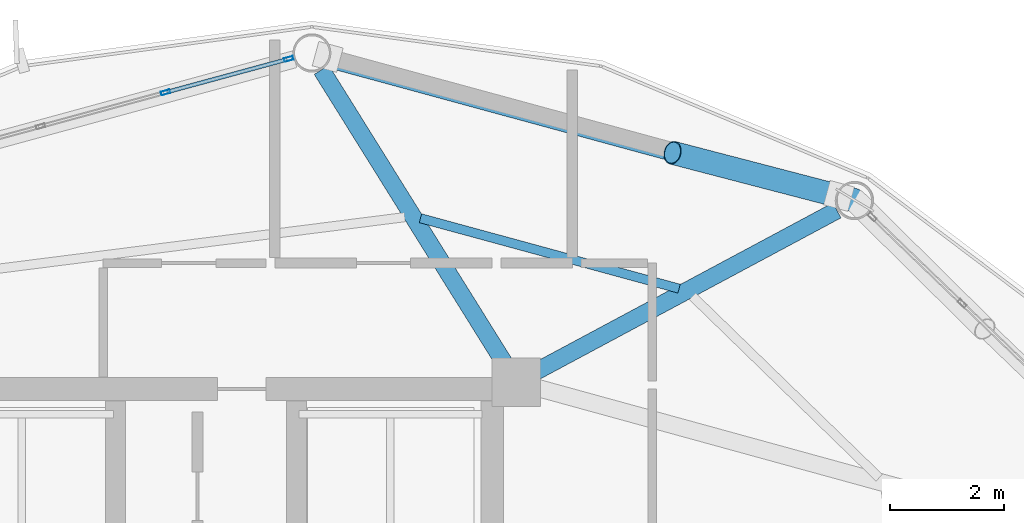
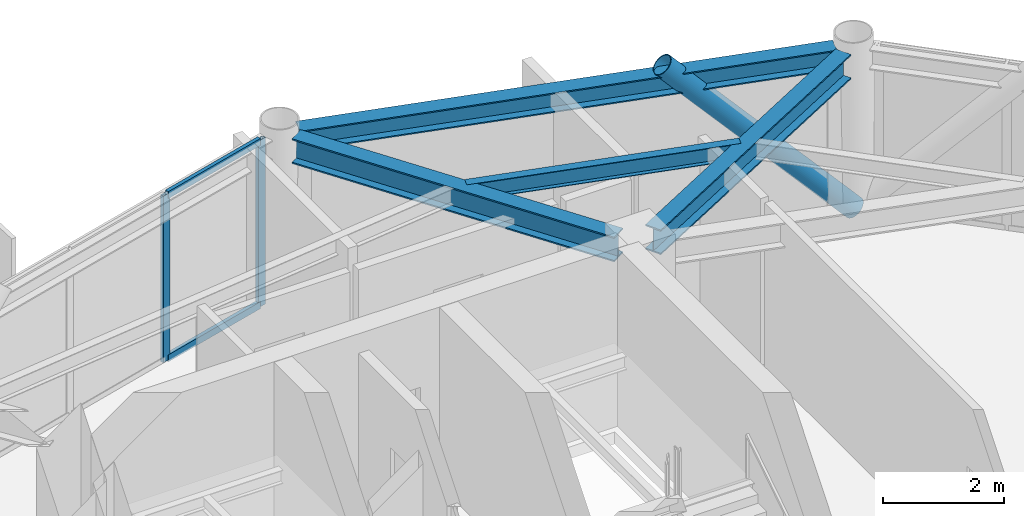
# One storey, part 20 of 28: 5 members, 4 beams, 1 element without a shape of its own.
"""IFC4 building model written with IfcOpenShell, lengths in metres."""

from ifc_helpers import new_model, si_unit, direction, frame, origin, origin_2d, place, context, subcontext, project, spatial, hollow_rectangle, hollow_circle, i_section, extrude, material, layer, layer_set, material_profile, profile_set, type_object, element, aggregate, save


model = new_model("IFC4")

# Units and contexts
model_context = context("Model", 3, precision=1e-05, world=origin(), true_north=direction((0.0, 1.0)))
body_context = subcontext(model_context, "Body", "Model", "MODEL_VIEW")
ifc_project = project(units=[si_unit("LENGTHUNIT", "METRE"), si_unit("AREAUNIT", "SQUARE_METRE"), si_unit("VOLUMEUNIT", "CUBIC_METRE"), si_unit("PLANEANGLEUNIT", "RADIAN"), si_unit("MASSUNIT", "GRAM", prefix="KILO")], contexts=[model_context])

# Site, building, storey
site_placement = place(None, origin())
site = spatial("IfcSite", under=ifc_project, at=site_placement, CompositionType="ELEMENT")
building_placement = place(site_placement, origin())
building = spatial("IfcBuilding", under=site, at=building_placement, Name="Varnakorn Sky Granary", CompositionType="ELEMENT")
storey_placement = place(building_placement, frame((0.0, 0.0, 214.800048828125)))
storey = spatial("IfcBuildingStorey", under=building, at=storey_placement, Name="L54", CompositionType="ELEMENT", Elevation=214.800048828125)

# Beams
ifc_material_1 = material(Name="Steel S355JR", Category="steel")
ifc_material_profile_1 = material_profile(ifc_material_1, i_section(OverallWidth=0.300048828125, OverallDepth=0.5, WebThickness=0.014404296875, FlangeThickness=0.028076171875, at=origin_2d()), Name="HE 500 B")
ifc_profile_set_1 = profile_set([ifc_material_profile_1], Name="Steel S355JR")
beam_type_1 = type_object("IfcBeamType", Name="BM-RAD-Z4", PredefinedType="BEAM", material=ifc_profile_set_1)
beam_1_placement = place(storey_placement, frame((8.777099609375, 12.811279296875, 3.10986328125), z_axis=(0.881538511868, 0.472112118139, 0.0), x_axis=(-0.472112118139, 0.881538511868, 0.0)))
element("IfcBeam", 1, at=beam_1_placement, inside=storey, type_object=beam_type_1, Name="Radial Floor Girder RG03 L54", PredefinedType="BEAM", context=body_context, shape_type="SweptSolid", body=[
    extrude(i_section(OverallWidth=0.300048828125, OverallDepth=0.5, WebThickness=0.014404296875, FlangeThickness=0.028076171875, at=origin_2d()), origin(), (0.0, 0.0, 1.0), 5.951171875),
])
beam_2_placement = place(storey_placement, frame((8.205810546875, 12.963623046875, 3.10986328125), z_axis=(-0.529230327947, 0.848478202419, 0.0), x_axis=(-0.848478202419, -0.529230327947, 0.0)))
element("IfcBeam", 2, at=beam_2_placement, inside=storey, type_object=beam_type_1, Name="Radial Floor Girder RG04 L54", PredefinedType="BEAM", context=body_context, shape_type="SweptSolid", body=[
    extrude(i_section(OverallWidth=0.300048828125, OverallDepth=0.5, WebThickness=0.014404296875, FlangeThickness=0.028076171875, at=origin_2d()), origin(), (0.0, 0.0, 1.0), 6.026123046875),
])
ifc_material_profile_2 = material_profile(ifc_material_1, i_section(OverallWidth=0.159912109375, OverallDepth=0.330078125, WebThickness=0.007568359375, FlangeThickness=0.011474609375, at=origin_2d()), Name="IPE 330")
ifc_profile_set_2 = profile_set([ifc_material_profile_2], Name="Steel S355JR")
beam_type_2 = type_object("IfcBeamType", Name="BM-SEC-Z4", PredefinedType="BEAM", material=ifc_profile_set_2)
beam_3_placement = place(storey_placement, frame((11.26513671875, 14.252685546875, 3.195068359375), z_axis=(-0.964855189198, 0.262782160503, 0.0), x_axis=(-0.262782160503, -0.964855189198, 0.0)))
element("IfcBeam", 3, at=beam_3_placement, inside=storey, type_object=beam_type_2, Name="Secondary Floor Chord Beam MSB03 L54", PredefinedType="BEAM", context=body_context, shape_type="SweptSolid", body=[
    extrude(i_section(OverallWidth=0.159912109375, OverallDepth=0.330078125, WebThickness=0.007568359375, FlangeThickness=0.011474609375, at=origin_2d()), origin(), (0.0, 0.0, 1.0), 4.683349609375),
])
ifc_material_profile_3 = material_profile(ifc_material_1, i_section(OverallWidth=0.300048828125, OverallDepth=0.39990234375, WebThickness=0.013427734375, FlangeThickness=0.02392578125, at=origin_2d()), Name="HE 400 B")
ifc_profile_set_3 = profile_set([ifc_material_profile_3], Name="Steel S355JR")
beam_type_3 = type_object("IfcBeamType", Name="BM-SPD-Z4", PredefinedType="SPANDREL", material=ifc_profile_set_3)
beam_4_placement = place(storey_placement, frame((13.9970703125, 15.852294921875, 3.159912109375), z_axis=(-0.964843073533, 0.262826641449, 0.0), x_axis=(-0.262826641449, -0.964843073533, 0.0)))
element("IfcBeam", 4, at=beam_4_placement, inside=storey, type_object=beam_type_3, Name="Perimeter Spandrel Ring Beam RB03 L54", PredefinedType="SPANDREL", context=body_context, shape_type="SweptSolid", body=[
    extrude(i_section(OverallWidth=0.300048828125, OverallDepth=0.39990234375, WebThickness=0.013427734375, FlangeThickness=0.02392578125, at=origin_2d()), origin(), (0.0, 0.0, 1.0), 9.16552734375),
])

# Curtain wall, members
ifc_material_2 = material(Name="Anodised Bronze Aluminium Alloy 6063-T6", Category="aluminium")
ifc_layer = layer(ifc_material_2, 0.169921875, Name="Anodised Bronze Aluminium Alloy 6063-T6")
ifc_layer_set = layer_set([ifc_layer], Name="Anodised Bronze Aluminium Alloy 6063-T6")
curtain_wall_type = type_object("IfcCurtainWallType", Name="CW-LAB-1", PredefinedType="USERDEFINED", material=ifc_layer_set)
curtain_wall_placement = place(storey_placement, origin())
curtain_wall = element("IfcCurtainWall", 5, at=curtain_wall_placement, inside=storey, type_object=curtain_wall_type, Name="Unitised Curtain Wall CW5 CW-L54-B04", ObjectType="CURTAIN WALL", PredefinedType="USERDEFINED")
ifc_material_profile_4 = material_profile(ifc_material_2, hollow_rectangle(XDim=0.06494140625, YDim=0.159912109375, WallThickness=0.00341796875, at=origin_2d()), Name="ALU MULL 65x160")
ifc_profile_set_4 = profile_set([ifc_material_profile_4], Name="Anodised Bronze Aluminium Alloy 6063-T6")
member_type_1 = type_object("IfcMemberType", Name="CW-LAB-1-MULL", PredefinedType="MULLION", material=ifc_profile_set_4)
member_1_placement = place(storey_placement, frame((2.29052734375, 17.68115234375, 0.0), z_axis=(0.0, 0.0, 1.0), x_axis=(-0.262380522882, 0.964964487021, 0.0)))
member_1 = element("IfcMember", 6, at=member_1_placement, type_object=member_type_1, Name="CW5 mullion 4", PredefinedType="MULLION", context=body_context, shape_type="SweptSolid", body=[
    extrude(hollow_rectangle(XDim=0.06494140625, YDim=0.159912109375, WallThickness=0.00341796875, at=origin_2d()), origin(), (0.0, 0.0, 1.0), 3.35986328125),
])
member_2_placement = place(storey_placement, frame((4.4423828125, 18.26611328125, 0.0), z_axis=(0.0, 0.0, 1.0), x_axis=(-0.262380522882, 0.964964487021, 0.0)))
member_2 = element("IfcMember", 7, at=member_2_placement, type_object=member_type_1, Name="CW5 mullion 5", PredefinedType="MULLION", context=body_context, shape_type="SweptSolid", body=[
    extrude(hollow_rectangle(XDim=0.06494140625, YDim=0.159912109375, WallThickness=0.00341796875, at=origin_2d()), origin(), (0.0, 0.0, 1.0), 3.35986328125),
])
ifc_material_profile_5 = material_profile(ifc_material_2, hollow_rectangle(XDim=0.070068359375, YDim=0.139892578125, WallThickness=0.00341796875, at=origin_2d()), Name="ALU TRAN 70x140")
ifc_profile_set_5 = profile_set([ifc_material_profile_5], Name="Anodised Bronze Aluminium Alloy 6063-T6")
member_type_2 = type_object("IfcMemberType", Name="CW-LAB-1-TRAN", PredefinedType="USERDEFINED", material=ifc_profile_set_5)
member_3_placement = place(storey_placement, frame((2.322021484375, 17.689697265625, 0.034912109375), z_axis=(0.964976925238, 0.262334774206, 0.0), x_axis=(-0.262334774206, 0.964976925238, 0.0)))
member_3 = element("IfcMember", 8, at=member_3_placement, type_object=member_type_2, Name="CW5 transom 4.1", ObjectType="TRANSOM", PredefinedType="USERDEFINED", context=body_context, shape_type="SweptSolid", body=[
    extrude(hollow_rectangle(XDim=0.070068359375, YDim=0.139892578125, WallThickness=0.00341796875, at=origin_2d()), origin(), (0.0, 0.0, 1.0), 2.164794921875),
])
member_4_placement = place(storey_placement, frame((2.322021484375, 17.689697265625, 3.324951171875), z_axis=(0.964976925238, 0.262334774206, 0.0), x_axis=(-0.262334774206, 0.964976925238, 0.0)))
member_4 = element("IfcMember", 9, at=member_4_placement, type_object=member_type_2, Name="CW5 transom 4.2", ObjectType="TRANSOM", PredefinedType="USERDEFINED", context=body_context, shape_type="SweptSolid", body=[
    extrude(hollow_rectangle(XDim=0.070068359375, YDim=0.139892578125, WallThickness=0.00341796875, at=origin_2d()), origin(), (0.0, 0.0, 1.0), 2.164794921875),
])
aggregate(curtain_wall, [member_1, member_2, member_3, member_4])

# Member
ifc_material_3 = material(Name="Steel S460M", Category="steel")
ifc_material_profile_6 = material_profile(ifc_material_3, hollow_circle(Radius=0.203125, WallThickness=0.01611328125, at=origin_2d()), Name="CHS 406.4x16")
ifc_profile_set_6 = profile_set([ifc_material_profile_6], Name="Steel S460M")
member_type_3 = type_object("IfcMemberType", Name="MB-DIAG-T4", PredefinedType="BRACE", material=ifc_profile_set_6)
member_5_placement = place(storey_placement, frame((14.3349609375, 15.798095703125, 0.0), z_axis=(-0.663859802554, 0.172950671554, 0.727583828683), x_axis=(-0.252107778306, -0.967699161991, 0.0)))
element("IfcMember", 10, at=member_5_placement, inside=storey, type_object=member_type_3, Name="Perimeter CHS Diagrid Brace DG03 L54", PredefinedType="BRACE", context=body_context, shape_type="SweptSolid", body=[
    extrude(hollow_circle(Radius=0.203125, WallThickness=0.01611328125, at=origin_2d()), origin(), (0.0, 0.0, 1.0), 4.796630859375),
])

save(model, "model.ifc")
